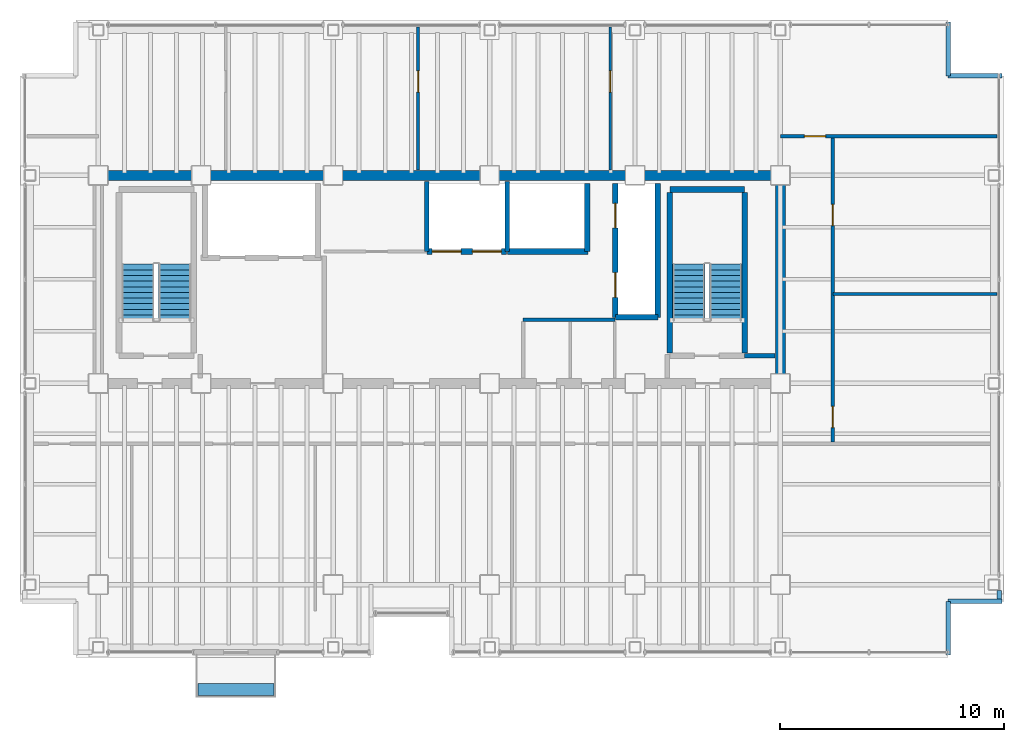
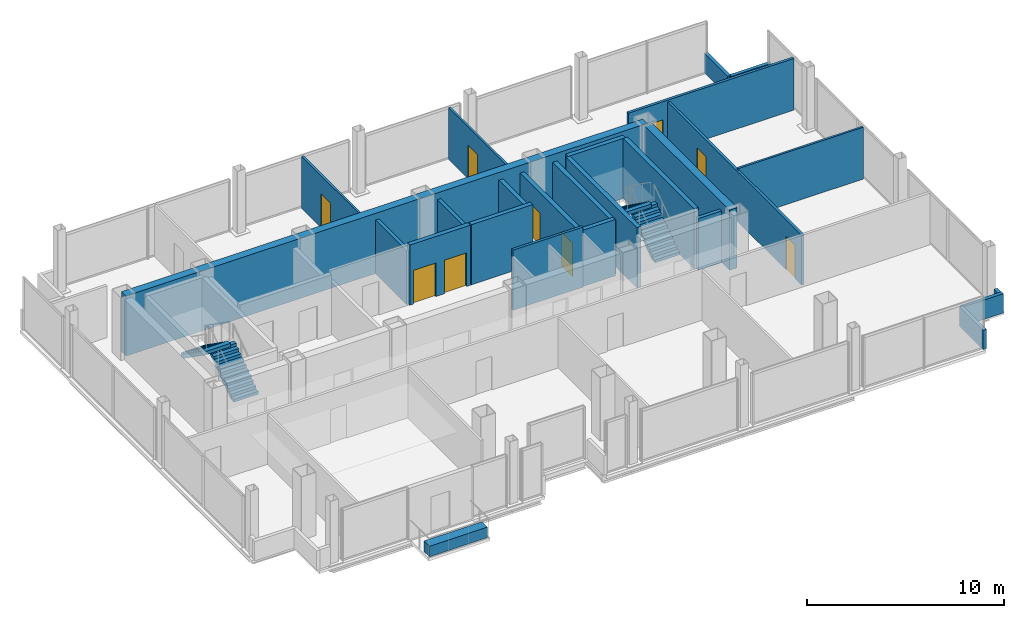
# One storey, part 14 of 15: 25 walls, 9 doors, 4 stair flights, 1 discrete accessory, 9 openings, 2 elements without a shape of their own.
"""IFC4 building model written with IfcOpenShell, lengths in metres."""

from ifc_helpers import new_model, si_unit, direction, frame, frame_2d, origin, origin_2d, place, context, subcontext, project, spatial, polyline, rectangle, outline, extrude, material, layer, layer_set, type_object, element, fill, aggregate, save


model = new_model("IFC4")

# Units and contexts
model_context = context("Model", 3, precision=1e-05, world=origin(), true_north=direction((0.0, 1.0)))
body_context = subcontext(model_context, "Body", "Model", "MODEL_VIEW")
ifc_project = project(units=[si_unit("LENGTHUNIT", "METRE"), si_unit("AREAUNIT", "SQUARE_METRE"), si_unit("VOLUMEUNIT", "CUBIC_METRE"), si_unit("PLANEANGLEUNIT", "RADIAN"), si_unit("MASSUNIT", "GRAM", prefix="KILO")], contexts=[model_context])

# Site, building, storey
site_placement = place(None, origin())
site = spatial("IfcSite", under=ifc_project, at=site_placement, CompositionType="ELEMENT")
building_placement = place(site_placement, origin())
building = spatial("IfcBuilding", under=site, at=building_placement, Name="Noeulbin Bourse Tower", CompositionType="ELEMENT")
storey_placement = place(building_placement, frame((0.0, 0.0, 189.0)))
storey = spatial("IfcBuildingStorey", under=building, at=storey_placement, Name="L47", CompositionType="ELEMENT", Elevation=189.0)

# Walls
ifc_material_1 = material(Name="Concrete C50/60", Category="concrete")
ifc_layer_1 = layer(ifc_material_1, 0.449951171875)
ifc_layer_set_1 = layer_set([ifc_layer_1], Name="Concrete C50/60")
wall_type_1 = type_object("IfcWallType", Name="WAL-CORE-450", PredefinedType="SHEAR", material=ifc_layer_set_1)
wall_1_placement = place(storey_placement, frame((13.5, 38.300048828125, 0.0), z_axis=(0.0, 0.0, 1.0), x_axis=(1.0, 0.0, 0.0)))
element("IfcWall", 1, at=wall_1_placement, inside=storey, type_object=wall_type_1, Name="Rear Core North Shear Wall L47", PredefinedType="SHEAR", context=body_context, shape_type="SweptSolid", body=[
    extrude(rectangle(XDim=30.5, YDim=0.449951171875, at=frame_2d((15.25, 0.0))), origin(), (0.0, 0.0, 1.0), 3.719970703125),
])
wall_2_placement = place(storey_placement, frame((44.0, 29.35009765625, 0.0), z_axis=(0.0, 0.0, 1.0), x_axis=(0.0, 1.0, 0.0)))
element("IfcWall", 2, at=wall_2_placement, inside=storey, type_object=wall_type_1, Name="Rear Core East Shear Wall L47", PredefinedType="SHEAR", context=body_context, shape_type="SweptSolid", body=[
    extrude(rectangle(XDim=8.599853515625, YDim=0.449951171875, at=frame_2d((4.2998046875, 0.0))), origin(), (0.0, 0.0, 1.0), 3.719970703125),
])
ifc_material_2 = material(Name="Concrete C40/50", Category="concrete")
ifc_layer_2 = layer(ifc_material_2, 0.199951171875)
ifc_layer_set_2 = layer_set([ifc_layer_2], Name="Concrete C40/50")
wall_type_2 = type_object("IfcWallType", Name="WAL-FIRE-200", PredefinedType="STANDARD", material=ifc_layer_set_2)
wall_3_placement = place(storey_placement, frame((42.39990234375, 30.239990234375, 0.0), z_axis=(0.0, 0.0, 1.0), x_axis=(1.0, 0.0, 0.0)))
element("IfcWall", 3, at=wall_3_placement, inside=storey, type_object=wall_type_2, Name="Interior Partition Wall L47-01", PredefinedType="STANDARD", context=body_context, shape_type="SweptSolid", body=[
    extrude(rectangle(XDim=1.364990234375, YDim=0.199951171875, at=frame_2d((0.6826171875, 0.0))), origin(), (0.0, 0.0, 1.0), 3.199951171875),
])
ifc_layer_3 = layer(ifc_material_2, 0.199951171875)
ifc_layer_set_3 = layer_set([ifc_layer_3], Name="Concrete C40/50")
wall_type_3 = type_object("IfcWallType", Name="WAL-PAR-200", PredefinedType="PARAPET", material=ifc_layer_set_3)
wall_4_placement = place(storey_placement, frame((53.780029296875, 19.35009765625, 0.0), z_axis=(0.0, 0.0, 1.0), x_axis=(0.0, 1.0, 0.0)))
element("IfcWall", 4, at=wall_4_placement, inside=storey, type_object=wall_type_3, Name="Perimeter Pier Spandrel Parapet L47-E3", PredefinedType="PARAPET", context=body_context, shape_type="SweptSolid", body=[
    extrude(rectangle(XDim=0.3798828125, YDim=0.199951171875, at=frame_2d((0.18994140625, 0.0))), origin(), (0.0, 0.0, 1.0), 1.199951171875),
])
for number, where, z_axis, x_axis, name in (
    (5, (51.5, 16.85009765625, 0.0), (0.0, 0.0, 1.0), (0.0, 1.0, 0.0), "Corner Notch Parapet L47-SE1"),
    (6, (51.5, 19.25, 0.0), (0.0, 0.0, 1.0), (1.0, 0.0, 0.0), "Corner Notch Parapet L47-SE2"),
    (7, (51.5, 45.14990234375, 0.0), (0.0, 0.0, 1.0), (0.0, -1.0, 0.0), "Corner Notch Parapet L47-NE1"),
    (8, (51.5, 42.75, 0.0), (0.0, 0.0, 1.0), (1.0, 0.0, 0.0), "Corner Notch Parapet L47-NE2"),
):
    element("IfcWall", number, at=place(storey_placement, frame(where, z_axis=z_axis, x_axis=x_axis)), inside=storey, type_object=wall_type_3, Name=name, PredefinedType="PARAPET", context=body_context, shape_type="SweptSolid", body=[
        extrude(rectangle(XDim=2.39990234375, YDim=0.199951171875, at=frame_2d((1.199951171875, 0.0))), origin(), (0.0, 0.0, 1.0), 1.199951171875),
    ])
ifc_material_3 = material(Name="Steel Stud Gypsum Partition", Category="steel")
ifc_layer_4 = layer(ifc_material_3, 0.1201171875)
ifc_layer_set_4 = layer_set([ifc_layer_4], Name="Steel Stud Gypsum Partition")
wall_type_4 = type_object("IfcWallType", Name="WAL-PRT-120", PredefinedType="PARTITIONING", material=ifc_layer_set_4)
wall_5_placement = place(storey_placement, frame((46.35009765625, 33.0, 0.0), z_axis=(0.0, 0.0, 1.0), x_axis=(1.0, 0.0, 0.0)))
element("IfcWall", 9, at=wall_5_placement, inside=storey, type_object=wall_type_4, Name="Interior Partition Wall L47-05", PredefinedType="PARTITIONING", context=body_context, shape_type="SweptSolid", body=[
    extrude(rectangle(XDim=7.33984375, YDim=0.1201171875, at=frame_2d((3.669921875, 0.0))), origin(), (0.0, 0.0, 1.0), 3.2119140625),
])

# Wall, opening, door
wall_6_placement = place(storey_placement, frame((27.800048828125, 38.534912109375, 0.0), z_axis=(0.0, 0.0, 1.0), x_axis=(0.0, 1.0, 0.0)))
wall_6 = element("IfcWall", 10, at=wall_6_placement, inside=storey, type_object=wall_type_4, Name="Interior Partition Wall L47-20", PredefinedType="PARTITIONING", context=body_context, shape_type="SweptSolid", body=[
    extrude(rectangle(XDim=6.405029296875, YDim=0.1201171875, at=frame_2d((3.20263671875, 0.0))), origin(), (0.0, 0.0, 1.0), 3.2119140625),
])
opening_1_placement = place(wall_6_placement, frame((3.485107421875, 0.0, 0.0)))
opening_1 = element("IfcOpeningElement", 11, at=opening_1_placement, cuts=wall_6, Name="Opening ID-09", PredefinedType="OPENING", context=body_context, shape_type="SweptSolid", body=[
    extrude(rectangle(XDim=0.949951171875, YDim=2.080078125, at=frame_2d((0.47509765625, 1.0400390625))), frame((0.0, 0.070068359375, 0.0), z_axis=(0.0, -1.0, 0.0), x_axis=(1.0, 0.0, 0.0)), (0.0, 0.0, 1.0), 0.14013671875),
])
ifc_material_4 = material(Name="Acoustic Solid-Core Timber", Category="wood")
door_type_1 = type_object("IfcDoorType", Name="DR-SINGLE-950", OperationType="SINGLE_SWING_LEFT", PredefinedType="DOOR", material=ifc_material_4)
door_1_placement = place(opening_1_placement, origin())
door_1 = element("IfcDoor", 12, at=door_1_placement, inside=storey, type_object=door_type_1, Name="Interior Door L47-17", OperationType="SINGLE_SWING_LEFT", OverallHeight=2.080078125, OverallWidth=0.949951171875, PredefinedType="DOOR", context=body_context, shape_type="SweptSolid", body=[
    extrude(rectangle(XDim=0.949951171875, YDim=2.080078125, at=frame_2d((0.47509765625, 1.0400390625))), frame((0.0, 0.02490234375, 0.0), z_axis=(0.0, -1.0, 0.0), x_axis=(1.0, 0.0, 0.0)), (0.0, 0.0, 1.0), 0.050048828125),
])
fill(opening_1, door_1)

wall_7_placement = place(storey_placement, frame((36.39990234375, 38.534912109375, 0.0), z_axis=(0.0, 0.0, 1.0), x_axis=(0.0, 1.0, 0.0)))
wall_7 = element("IfcWall", 13, at=wall_7_placement, inside=storey, type_object=wall_type_4, Name="Interior Partition Wall L47-21", PredefinedType="PARTITIONING", context=body_context, shape_type="SweptSolid", body=[
    extrude(rectangle(XDim=6.405029296875, YDim=0.1201171875, at=frame_2d((3.20263671875, 0.0))), origin(), (0.0, 0.0, 1.0), 3.2119140625),
])
opening_2_placement = place(wall_7_placement, frame((3.485107421875, 0.0, 0.0)))
opening_2 = element("IfcOpeningElement", 14, at=opening_2_placement, cuts=wall_7, Name="Opening ID-09", PredefinedType="OPENING", context=body_context, shape_type="SweptSolid", body=[
    extrude(rectangle(XDim=0.949951171875, YDim=2.080078125, at=frame_2d((0.47509765625, 1.0400390625))), frame((0.0, 0.070068359375, 0.0), z_axis=(0.0, -1.0, 0.0), x_axis=(1.0, 0.0, 0.0)), (0.0, 0.0, 1.0), 0.14013671875),
])
door_2_placement = place(opening_2_placement, origin())
door_2 = element("IfcDoor", 15, at=door_2_placement, inside=storey, type_object=door_type_1, Name="Interior Door L47-18", OperationType="SINGLE_SWING_RIGHT", OverallHeight=2.080078125, OverallWidth=0.949951171875, PredefinedType="DOOR", context=body_context, shape_type="SweptSolid", body=[
    extrude(rectangle(XDim=0.949951171875, YDim=2.080078125, at=frame_2d((0.47509765625, 1.0400390625))), frame((0.0, 0.02490234375, 0.0), z_axis=(0.0, -1.0, 0.0), x_axis=(1.0, 0.0, 0.0)), (0.0, 0.0, 1.0), 0.050048828125),
])
fill(opening_2, door_2)

# Wall
ifc_material_5 = material(Name="Steel Stud Acoustic Gypsum Board", Category="steel")
ifc_layer_5 = layer(ifc_material_5, 0.14990234375)
ifc_layer_set_5 = layer_set([ifc_layer_5], Name="Steel Stud Acoustic Gypsum Board")
wall_type_5 = type_object("IfcWallType", Name="WAL-PRT-150", PredefinedType="PARTITIONING", material=ifc_layer_set_5)
wall_8_placement = place(storey_placement, frame((32.5, 31.85009765625, 0.0), z_axis=(0.0, 0.0, 1.0), x_axis=(1.0, 0.0, 0.0)))
element("IfcWall", 16, at=wall_8_placement, inside=storey, type_object=wall_type_5, Name="Interior Partition Wall L47-03", PredefinedType="PARTITIONING", context=body_context, shape_type="SweptSolid", body=[
    extrude(rectangle(XDim=4.10009765625, YDim=0.14990234375, at=frame_2d((2.050048828125, 0.0))), origin(), (0.0, 0.0, 1.0), 3.719970703125),
])

# Wall, opening, door
wall_9_placement = place(storey_placement, frame((44.0, 40.050048828125, 0.0), z_axis=(0.0, 0.0, 1.0), x_axis=(1.0, 0.0, 0.0)))
wall_9 = element("IfcWall", 17, at=wall_9_placement, inside=storey, type_object=wall_type_5, Name="Interior Partition Wall L47-07", PredefinedType="PARTITIONING", context=body_context, shape_type="SweptSolid", body=[
    extrude(rectangle(XDim=9.68994140625, YDim=0.14990234375, at=frame_2d((4.844970703125, 0.0))), origin(), (0.0, 0.0, 1.0), 3.199951171875),
])
opening_3_placement = place(wall_9_placement, frame((1.074951171875, 0.0, 0.0)))
opening_3 = element("IfcOpeningElement", 18, at=opening_3_placement, cuts=wall_9, Name="Opening ID-09", PredefinedType="OPENING", context=body_context, shape_type="SweptSolid", body=[
    extrude(rectangle(XDim=0.949951171875, YDim=2.080078125, at=frame_2d((0.47509765625, 1.0400390625))), frame((0.0, 0.0849609375, 0.0), z_axis=(0.0, -1.0, 0.0), x_axis=(1.0, 0.0, 0.0)), (0.0, 0.0, 1.0), 0.169921875),
])
door_3_placement = place(opening_3_placement, origin())
door_3 = element("IfcDoor", 19, at=door_3_placement, inside=storey, type_object=door_type_1, Name="Interior Door L47-15", OperationType="SINGLE_SWING_LEFT", OverallHeight=2.080078125, OverallWidth=0.949951171875, PredefinedType="DOOR", context=body_context, shape_type="SweptSolid", body=[
    extrude(rectangle(XDim=0.949951171875, YDim=2.080078125, at=frame_2d((0.47509765625, 1.0400390625))), frame((0.0, 0.02490234375, 0.0), z_axis=(0.0, -1.0, 0.0), x_axis=(1.0, 0.0, 0.0)), (0.0, 0.0, 1.0), 0.050048828125),
])
fill(opening_3, door_3)

# Wall, openings, doors
wall_10_placement = place(storey_placement, frame((46.35009765625, 26.385009765625, 0.0), z_axis=(0.0, 0.0, 1.0), x_axis=(0.0, 1.0, 0.0)))
wall_10 = element("IfcWall", 20, at=wall_10_placement, inside=storey, type_object=wall_type_5, Name="Interior Partition Wall L47-14", PredefinedType="PARTITIONING", context=body_context, shape_type="SweptSolid", body=[
    extrude(rectangle(XDim=13.580078125, YDim=0.14990234375, at=frame_2d((6.7900390625, 0.0))), origin(), (0.0, 0.0, 1.0), 3.10009765625),
])
opening_4_placement = place(wall_10_placement, frame((0.639892578125, 0.0, 0.0)))
opening_4 = element("IfcOpeningElement", 21, at=opening_4_placement, cuts=wall_10, Name="Opening ID-09", PredefinedType="OPENING", context=body_context, shape_type="SweptSolid", body=[
    extrude(rectangle(XDim=0.949951171875, YDim=2.080078125, at=frame_2d((0.47509765625, 1.0400390625))), frame((0.0, 0.0849609375, 0.0), z_axis=(0.0, -1.0, 0.0), x_axis=(1.0, 0.0, 0.0)), (0.0, 0.0, 1.0), 0.169921875),
])
opening_5_placement = place(wall_10_placement, frame((9.6650390625, 0.0, 0.0)))
opening_5 = element("IfcOpeningElement", 22, at=opening_5_placement, cuts=wall_10, Name="Opening ID-09", PredefinedType="OPENING", context=body_context, shape_type="SweptSolid", body=[
    extrude(rectangle(XDim=0.949951171875, YDim=2.080078125, at=frame_2d((0.47509765625, 1.0400390625))), frame((0.0, 0.0849609375, 0.0), z_axis=(0.0, -1.0, 0.0), x_axis=(1.0, 0.0, 0.0)), (0.0, 0.0, 1.0), 0.169921875),
])
door_4_placement = place(opening_4_placement, origin())
door_4 = element("IfcDoor", 23, at=door_4_placement, inside=storey, type_object=door_type_1, Name="Interior Door L47-13", OperationType="SINGLE_SWING_LEFT", OverallHeight=2.080078125, OverallWidth=0.949951171875, PredefinedType="DOOR", context=body_context, shape_type="SweptSolid", body=[
    extrude(rectangle(XDim=0.949951171875, YDim=2.080078125, at=frame_2d((0.47509765625, 1.0400390625))), frame((0.0, 0.02490234375, 0.0), z_axis=(0.0, -1.0, 0.0), x_axis=(1.0, 0.0, 0.0)), (0.0, 0.0, 1.0), 0.050048828125),
])
fill(opening_4, door_4)
door_5_placement = place(opening_5_placement, origin())
door_5 = element("IfcDoor", 24, at=door_5_placement, inside=storey, type_object=door_type_1, Name="Interior Door L47-14", OperationType="SINGLE_SWING_RIGHT", OverallHeight=2.080078125, OverallWidth=0.949951171875, PredefinedType="DOOR", context=body_context, shape_type="SweptSolid", body=[
    extrude(rectangle(XDim=0.949951171875, YDim=2.080078125, at=frame_2d((0.47509765625, 1.0400390625))), frame((0.0, 0.02490234375, 0.0), z_axis=(0.0, -1.0, 0.0), x_axis=(1.0, 0.0, 0.0)), (0.0, 0.0, 1.0), 0.050048828125),
])
fill(opening_5, door_5)

# Walls
ifc_layer_6 = layer(ifc_material_2, 0.25)
ifc_layer_set_6 = layer_set([ifc_layer_6], Name="Concrete C40/50")
wall_type_6 = type_object("IfcWallType", Name="WAL-SHFT-250", PredefinedType="STANDARD", material=ifc_layer_set_6)
wall_11_placement = place(storey_placement, frame((39.06005859375, 37.6689453125, 0.0), z_axis=(0.0, 0.0, 1.0), x_axis=(1.0, 0.0, 0.0)))
element("IfcWall", 25, at=wall_11_placement, inside=storey, type_object=wall_type_6, Name="Stair ST-2 North Shaft Wall L47", PredefinedType="STANDARD", context=body_context, shape_type="SweptSolid", body=[
    extrude(rectangle(XDim=3.33984375, YDim=0.25, at=frame_2d((1.669921875, 0.0))), origin(), (0.0, 0.0, 1.0), 3.719970703125),
])
for number, where, z_axis, x_axis, name in (
    (26, (39.054931640625, 30.360107421875, 0.0), (0.0, 0.0, 1.0), (0.0, 1.0, 0.0), "Stair ST-2 West Shaft Wall L47"),
    (27, (42.405029296875, 30.360107421875, 0.0), (0.0, 0.0, 1.0), (0.0, 1.0, 0.0), "Stair ST-2 East Shaft Wall L47"),
):
    element("IfcWall", number, at=place(storey_placement, frame(where, z_axis=z_axis, x_axis=x_axis)), inside=storey, type_object=wall_type_6, Name=name, PredefinedType="STANDARD", context=body_context, shape_type="SweptSolid", body=[
        extrude(rectangle(XDim=7.183837890625, YDim=0.25, at=frame_2d((3.591796875, 0.0))), origin(), (0.0, 0.0, 1.0), 3.719970703125),
    ])

# Wall, openings, doors
wall_12_placement = place(storey_placement, frame((36.6201171875, 31.949951171875, 0.0), z_axis=(0.0, 0.0, 1.0), x_axis=(0.0, 1.0, 0.0)))
wall_12 = element("IfcWall", 28, at=wall_12_placement, inside=storey, type_object=wall_type_6, Name="Service Lift Shaft Wall L47", PredefinedType="STANDARD", context=body_context, shape_type="SweptSolid", body=[
    extrude(rectangle(XDim=6.0, YDim=0.25, at=frame_2d((3.0, 0.0))), origin(), (0.0, 0.0, 1.0), 3.35009765625),
])
opening_6_placement = place(wall_12_placement, frame((0.89990234375, 0.0, 0.0)))
opening_6 = element("IfcOpeningElement", 29, at=opening_6_placement, cuts=wall_12, Name="Opening LD-11", PredefinedType="OPENING", context=body_context, shape_type="SweptSolid", body=[
    extrude(rectangle(XDim=1.10009765625, YDim=2.080078125, at=frame_2d((0.550048828125, 1.0400390625))), frame((0.0, 0.135009765625, 0.0), z_axis=(0.0, -1.0, 0.0), x_axis=(1.0, 0.0, 0.0)), (0.0, 0.0, 1.0), 0.27001953125),
])
opening_7_placement = place(wall_12_placement, frame((4.0, 0.0, 0.0)))
opening_7 = element("IfcOpeningElement", 30, at=opening_7_placement, cuts=wall_12, Name="Opening LD-11", PredefinedType="OPENING", context=body_context, shape_type="SweptSolid", body=[
    extrude(rectangle(XDim=1.10009765625, YDim=2.080078125, at=frame_2d((0.550048828125, 1.0400390625))), frame((0.0, 0.135009765625, 0.0), z_axis=(0.0, -1.0, 0.0), x_axis=(1.0, 0.0, 0.0)), (0.0, 0.0, 1.0), 0.27001953125),
])
ifc_material_6 = material(Name="Brushed Stainless Steel 316", Category="steel")
door_type_2 = type_object("IfcDoorType", Name="DR-LIFT-1100", OperationType="SLIDING_TO_LEFT", PredefinedType="DOOR", material=ifc_material_6)
door_6_placement = place(opening_6_placement, origin())
door_6 = element("IfcDoor", 31, at=door_6_placement, inside=storey, type_object=door_type_2, Name="Lift Landing Door LD-EL-01-L47", OperationType="SLIDING_TO_LEFT", OverallHeight=2.080078125, OverallWidth=1.10009765625, PredefinedType="DOOR", context=body_context, shape_type="SweptSolid", body=[
    extrude(rectangle(XDim=1.10009765625, YDim=2.080078125, at=frame_2d((0.550048828125, 1.0400390625))), frame((0.0, 0.02490234375, 0.0), z_axis=(0.0, -1.0, 0.0), x_axis=(1.0, 0.0, 0.0)), (0.0, 0.0, 1.0), 0.050048828125),
])
fill(opening_6, door_6)
door_7_placement = place(opening_7_placement, origin())
door_7 = element("IfcDoor", 32, at=door_7_placement, inside=storey, type_object=door_type_2, Name="Lift Landing Door LD-SV-01-L47", OperationType="SLIDING_TO_LEFT", OverallHeight=2.080078125, OverallWidth=1.10009765625, PredefinedType="DOOR", context=body_context, shape_type="SweptSolid", body=[
    extrude(rectangle(XDim=1.10009765625, YDim=2.080078125, at=frame_2d((0.550048828125, 1.0400390625))), frame((0.0, 0.02490234375, 0.0), z_axis=(0.0, -1.0, 0.0), x_axis=(1.0, 0.0, 0.0)), (0.0, 0.0, 1.0), 0.050048828125),
])
fill(opening_7, door_7)

# Walls
wall_13_placement = place(storey_placement, frame((38.52001953125, 31.949951171875, 0.0), z_axis=(0.0, 0.0, 1.0), x_axis=(0.0, 1.0, 0.0)))
element("IfcWall", 33, at=wall_13_placement, inside=storey, type_object=wall_type_6, Name="Service Lift East Shaft Wall L47", PredefinedType="STANDARD", context=body_context, shape_type="SweptSolid", body=[
    extrude(rectangle(XDim=6.0, YDim=0.25, at=frame_2d((3.0, 0.0))), origin(), (0.0, 0.0, 1.0), 3.35009765625),
])
wall_14_placement = place(storey_placement, frame((36.6201171875, 31.949951171875, 0.0), z_axis=(0.0, 0.0, 1.0), x_axis=(1.0, 0.0, 0.0)))
element("IfcWall", 34, at=wall_14_placement, inside=storey, type_object=wall_type_6, Name="Service Lift South Shaft Wall L47", PredefinedType="STANDARD", context=body_context, shape_type="SweptSolid", body=[
    extrude(rectangle(XDim=1.89990234375, YDim=0.25, at=frame_2d((0.949951171875, 0.0))), origin(), (0.0, 0.0, 1.0), 3.47998046875),
])
wall_15_placement = place(storey_placement, frame((35.360107421875, 34.89990234375, 0.0), z_axis=(0.0, 0.0, 1.0), x_axis=(0.0, 1.0, 0.0)))
element("IfcWall", 35, at=wall_15_placement, inside=storey, type_object=wall_type_6, Name="High-Rise Lift East Shaft Wall L47", PredefinedType="STANDARD", context=body_context, shape_type="SweptSolid", body=[
    extrude(rectangle(XDim=3.050048828125, YDim=0.25, at=frame_2d((1.52490234375, 0.0))), origin(), (0.0, 0.0, 1.0), 3.35009765625),
])

# Wall, openings, doors
wall_16_placement = place(storey_placement, frame((28.199951171875, 34.89990234375, 0.0), z_axis=(0.0, 0.0, 1.0), x_axis=(1.0, 0.0, 0.0)))
wall_16 = element("IfcWall", 36, at=wall_16_placement, inside=storey, type_object=wall_type_6, Name="Mid-Rise Lift Bank Front L47", PredefinedType="STANDARD", context=body_context, shape_type="SweptSolid", body=[
    extrude(rectangle(XDim=3.550048828125, YDim=0.25, at=frame_2d((1.77490234375, 0.0))), origin(), (0.0, 0.0, 1.0), 3.719970703125),
])
opening_8_placement = place(wall_16_placement, frame((0.22998046875, 0.0, 0.0)))
opening_8 = element("IfcOpeningElement", 37, at=opening_8_placement, cuts=wall_16, Name="Opening LD-13", PredefinedType="OPENING", context=body_context, shape_type="SweptSolid", body=[
    extrude(rectangle(XDim=1.300048828125, YDim=2.080078125, at=frame_2d((0.64990234375, 1.0400390625))), frame((0.0, 0.135009765625, 0.0), z_axis=(0.0, -1.0, 0.0), x_axis=(1.0, 0.0, 0.0)), (0.0, 0.0, 1.0), 0.27001953125),
])
opening_9_placement = place(wall_16_placement, frame((2.030029296875, 0.0, 0.0)))
opening_9 = element("IfcOpeningElement", 38, at=opening_9_placement, cuts=wall_16, Name="Opening LD-13", PredefinedType="OPENING", context=body_context, shape_type="SweptSolid", body=[
    extrude(rectangle(XDim=1.300048828125, YDim=2.080078125, at=frame_2d((0.64990234375, 1.0400390625))), frame((0.0, 0.135009765625, 0.0), z_axis=(0.0, -1.0, 0.0), x_axis=(1.0, 0.0, 0.0)), (0.0, 0.0, 1.0), 0.27001953125),
])
door_type_3 = type_object("IfcDoorType", Name="DR-LIFT-1300", OperationType="DOUBLE_DOOR_SLIDING", PredefinedType="DOOR", material=ifc_material_6)
door_8_placement = place(opening_8_placement, origin())
door_8 = element("IfcDoor", 39, at=door_8_placement, inside=storey, type_object=door_type_3, Name="Lift Landing Door LD-PL-M1-L47", OperationType="DOUBLE_DOOR_SLIDING", OverallHeight=2.080078125, OverallWidth=1.300048828125, PredefinedType="DOOR", context=body_context, shape_type="SweptSolid", body=[
    extrude(rectangle(XDim=1.300048828125, YDim=2.080078125, at=frame_2d((0.64990234375, 1.0400390625))), frame((0.0, 0.02490234375, 0.0), z_axis=(0.0, -1.0, 0.0), x_axis=(1.0, 0.0, 0.0)), (0.0, 0.0, 1.0), 0.050048828125),
])
fill(opening_8, door_8)
door_9_placement = place(opening_9_placement, origin())
door_9 = element("IfcDoor", 40, at=door_9_placement, inside=storey, type_object=door_type_3, Name="Lift Landing Door LD-PL-M2-L47", OperationType="DOUBLE_DOOR_SLIDING", OverallHeight=2.080078125, OverallWidth=1.300048828125, PredefinedType="DOOR", context=body_context, shape_type="SweptSolid", body=[
    extrude(rectangle(XDim=1.300048828125, YDim=2.080078125, at=frame_2d((0.64990234375, 1.0400390625))), frame((0.0, 0.02490234375, 0.0), z_axis=(0.0, -1.0, 0.0), x_axis=(1.0, 0.0, 0.0)), (0.0, 0.0, 1.0), 0.050048828125),
])
fill(opening_9, door_9)

# Walls
wall_17_placement = place(storey_placement, frame((31.800048828125, 34.89990234375, 0.0), z_axis=(0.0, 0.0, 1.0), x_axis=(1.0, 0.0, 0.0)))
element("IfcWall", 41, at=wall_17_placement, inside=storey, type_object=wall_type_6, Name="High-Rise Lift Bank Front L47", PredefinedType="STANDARD", context=body_context, shape_type="SweptSolid", body=[
    extrude(rectangle(XDim=3.599853515625, YDim=0.25, at=frame_2d((1.7998046875, 0.0))), origin(), (0.0, 0.0, 1.0), 3.719970703125),
])
for number, where, z_axis, x_axis, name in (
    (42, (28.179931640625, 34.89990234375, 0.0), (0.0, 0.0, 1.0), (0.0, 1.0, 0.0), "Hoistway Side Shaft Wall L47-PLMW"),
    (43, (31.780029296875, 34.89990234375, 0.0), (0.0, 0.0, 1.0), (0.0, 1.0, 0.0), "Hoistway Side Shaft Wall L47-PLHW"),
):
    element("IfcWall", number, at=place(storey_placement, frame(where, z_axis=z_axis, x_axis=x_axis)), inside=storey, type_object=wall_type_6, Name=name, PredefinedType="STANDARD", context=body_context, shape_type="SweptSolid", body=[
        extrude(rectangle(XDim=3.1201171875, YDim=0.199951171875, at=frame_2d((1.56005859375, 0.0))), origin(), (0.0, 0.0, 1.0), 3.35009765625),
    ])

# Stair, stair flights
stair_type = type_object("IfcStairType", Name="STR-CORE-1560", PredefinedType="HALF_TURN_STAIR", material=ifc_material_2)
stair_1_placement = place(storey_placement, origin())
stair_1 = element("IfcStair", 44, at=stair_1_placement, inside=storey, type_object=stair_type, Name="L47 ST-1", PredefinedType="HALF_TURN_STAIR")
stair_flight_type = type_object("IfcStairFlightType", Name="SFL-CORE-1560", PredefinedType="STRAIGHT", material=ifc_material_2)
stair_flight_1_placement = place(storey_placement, frame((16.925048828125, 31.81005859375, 0.0), z_axis=(0.0, 0.0, 1.0), x_axis=(0.0, 1.0, 0.0)))
stair_flight_1 = element("IfcStairFlight", 45, at=stair_flight_1_placement, type_object=stair_flight_type, Name="ST-1 flight 1", NumberOfRisers=11, NumberOfTreads=10, PredefinedType="STRAIGHT", RiserHeight=0.177272727, TreadLength=0.252, context=body_context, shape_type="SweptSolid", body=[
    extrude(outline(polyline([(0.0, 0.0), (0.0, 0.17724609375), (0.251953125, 0.17724609375), (0.251953125, 0.3544921875), (0.50390625, 0.3544921875), (0.50390625, 0.53173828125), (0.756103515625, 0.53173828125), (0.756103515625, 0.708984375), (1.008056640625, 0.708984375), (1.008056640625, 0.886474609375), (1.260009765625, 0.886474609375), (1.260009765625, 1.063720703125), (1.511962890625, 1.063720703125), (1.511962890625, 1.240966796875), (1.763916015625, 1.240966796875), (1.763916015625, 1.418212890625), (2.01611328125, 1.418212890625), (2.01611328125, 1.595458984375), (2.26806640625, 1.595458984375), (2.26806640625, 1.772705078125), (2.52001953125, 1.772705078125), (2.52001953125, 1.949951171875), (2.52001953125, 1.552734375), (0.312744140625, 0.0), (0.0, 0.0)])), frame((0.0, 0.72509765625, 0.0), z_axis=(0.0, -1.0, 0.0), x_axis=(1.0, 0.0, 0.0)), (0.0, 0.0, 1.0), 1.449951171875),
])
stair_flight_2_placement = place(storey_placement, frame((15.27490234375, 34.330078125, 1.949951171875), z_axis=(0.0, 0.0, 1.0), x_axis=(0.0, -1.0, 0.0)))
stair_flight_2 = element("IfcStairFlight", 46, at=stair_flight_2_placement, type_object=stair_flight_type, Name="ST-1 flight 2", NumberOfRisers=11, NumberOfTreads=10, PredefinedType="STRAIGHT", RiserHeight=0.177272727, TreadLength=0.252, context=body_context, shape_type="SweptSolid", body=[
    extrude(outline(polyline([(0.0, 0.0), (0.0, 0.17724609375), (0.251953125, 0.17724609375), (0.251953125, 0.3544921875), (0.50390625, 0.3544921875), (0.50390625, 0.53173828125), (0.756103515625, 0.53173828125), (0.756103515625, 0.708984375), (1.008056640625, 0.708984375), (1.008056640625, 0.886474609375), (1.260009765625, 0.886474609375), (1.260009765625, 1.063720703125), (1.511962890625, 1.063720703125), (1.511962890625, 1.240966796875), (1.763916015625, 1.240966796875), (1.763916015625, 1.418212890625), (2.01611328125, 1.418212890625), (2.01611328125, 1.595458984375), (2.26806640625, 1.595458984375), (2.26806640625, 1.772705078125), (2.52001953125, 1.772705078125), (2.52001953125, 1.949951171875), (2.52001953125, 1.552734375), (0.312744140625, 0.0), (0.0, 0.0)])), frame((0.0, 0.72509765625, 0.0), z_axis=(0.0, -1.0, 0.0), x_axis=(1.0, 0.0, 0.0)), (0.0, 0.0, 1.0), 1.449951171875),
])
aggregate(stair_1, [stair_flight_1, stair_flight_2])

stair_2_placement = place(storey_placement, origin())
stair_2 = element("IfcStair", 47, at=stair_2_placement, inside=storey, type_object=stair_type, Name="L47 ST-2", PredefinedType="HALF_TURN_STAIR")
stair_flight_3_placement = place(storey_placement, frame((41.554931640625, 31.81005859375, 0.0), z_axis=(0.0, 0.0, 1.0), x_axis=(0.0, 1.0, 0.0)))
stair_flight_3 = element("IfcStairFlight", 48, at=stair_flight_3_placement, type_object=stair_flight_type, Name="ST-2 flight 1", NumberOfRisers=11, NumberOfTreads=10, PredefinedType="STRAIGHT", RiserHeight=0.177272727, TreadLength=0.252, context=body_context, shape_type="SweptSolid", body=[
    extrude(outline(polyline([(0.0, 0.0), (0.0, 0.17724609375), (0.251953125, 0.17724609375), (0.251953125, 0.3544921875), (0.50390625, 0.3544921875), (0.50390625, 0.53173828125), (0.756103515625, 0.53173828125), (0.756103515625, 0.708984375), (1.008056640625, 0.708984375), (1.008056640625, 0.886474609375), (1.260009765625, 0.886474609375), (1.260009765625, 1.063720703125), (1.511962890625, 1.063720703125), (1.511962890625, 1.240966796875), (1.763916015625, 1.240966796875), (1.763916015625, 1.418212890625), (2.01611328125, 1.418212890625), (2.01611328125, 1.595458984375), (2.26806640625, 1.595458984375), (2.26806640625, 1.772705078125), (2.52001953125, 1.772705078125), (2.52001953125, 1.949951171875), (2.52001953125, 1.552734375), (0.312744140625, 0.0), (0.0, 0.0)])), frame((0.0, 0.72509765625, 0.0), z_axis=(0.0, -1.0, 0.0), x_axis=(1.0, 0.0, 0.0)), (0.0, 0.0, 1.0), 1.449951171875),
])
stair_flight_4_placement = place(storey_placement, frame((39.905029296875, 34.330078125, 1.949951171875), z_axis=(0.0, 0.0, 1.0), x_axis=(0.0, -1.0, 0.0)))
stair_flight_4 = element("IfcStairFlight", 49, at=stair_flight_4_placement, type_object=stair_flight_type, Name="ST-2 flight 2", NumberOfRisers=11, NumberOfTreads=10, PredefinedType="STRAIGHT", RiserHeight=0.177272727, TreadLength=0.252, context=body_context, shape_type="SweptSolid", body=[
    extrude(outline(polyline([(0.0, 0.0), (0.0, 0.17724609375), (0.251953125, 0.17724609375), (0.251953125, 0.3544921875), (0.50390625, 0.3544921875), (0.50390625, 0.53173828125), (0.756103515625, 0.53173828125), (0.756103515625, 0.708984375), (1.008056640625, 0.708984375), (1.008056640625, 0.886474609375), (1.260009765625, 0.886474609375), (1.260009765625, 1.063720703125), (1.511962890625, 1.063720703125), (1.511962890625, 1.240966796875), (1.763916015625, 1.240966796875), (1.763916015625, 1.418212890625), (2.01611328125, 1.418212890625), (2.01611328125, 1.595458984375), (2.26806640625, 1.595458984375), (2.26806640625, 1.772705078125), (2.52001953125, 1.772705078125), (2.52001953125, 1.949951171875), (2.52001953125, 1.552734375), (0.312744140625, 0.0), (0.0, 0.0)])), frame((0.0, 0.72509765625, 0.0), z_axis=(0.0, -1.0, 0.0), x_axis=(1.0, 0.0, 0.0)), (0.0, 0.0, 1.0), 1.449951171875),
])
aggregate(stair_2, [stair_flight_3, stair_flight_4])

# Discrete accessory
ifc_material_7 = material(Name="Architectural GFRC Concrete C40/50", Category="concrete")
ifc_layer_7 = layer(ifc_material_7, 0.64990234375)
ifc_layer_set_7 = layer_set([ifc_layer_7], Name="Architectural GFRC Concrete C40/50")
discrete_accessory_type = type_object("IfcDiscreteAccessoryType", Name="PLANTER-BOX-3600", PredefinedType="USERDEFINED", material=ifc_layer_set_7)
discrete_accessory_placement = place(storey_placement, frame((19.64990234375, 15.31005859375, 0.0), z_axis=(0.0, 0.0, 1.0), x_axis=(1.0, 0.0, 0.0)))
element("IfcDiscreteAccessory", 50, at=discrete_accessory_placement, inside=storey, type_object=discrete_accessory_type, Name="Integrated Balcony Tree Planter Box L47", ObjectType="PLANTER", PredefinedType="USERDEFINED", context=body_context, shape_type="SweptSolid", body=[
    extrude(rectangle(XDim=3.39990234375, YDim=0.550048828125, at=origin_2d()), origin(), (0.0, 0.0, 1.0), 0.64990234375),
])

save(model, "model.ifc")
